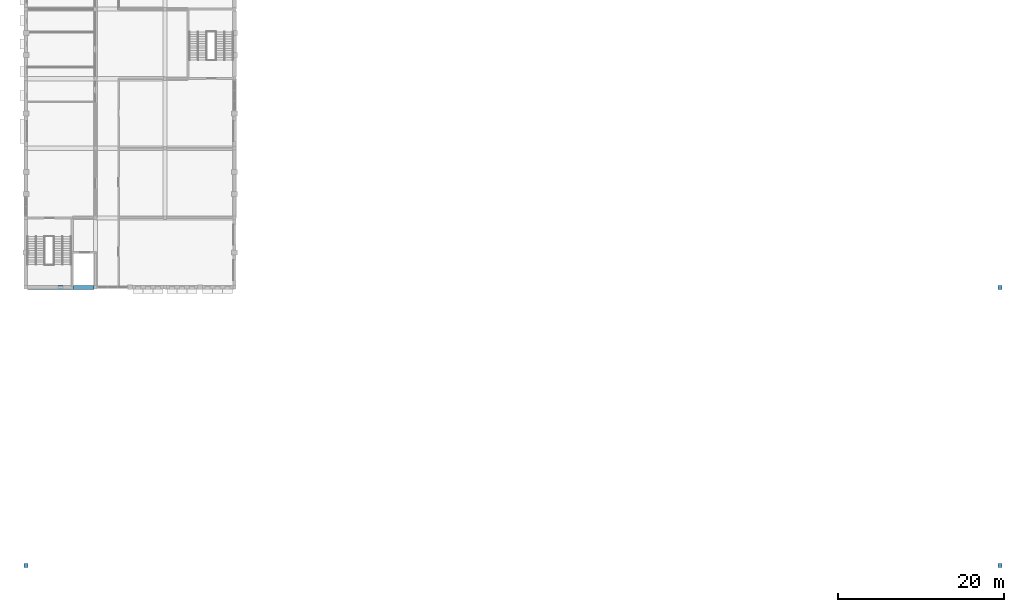
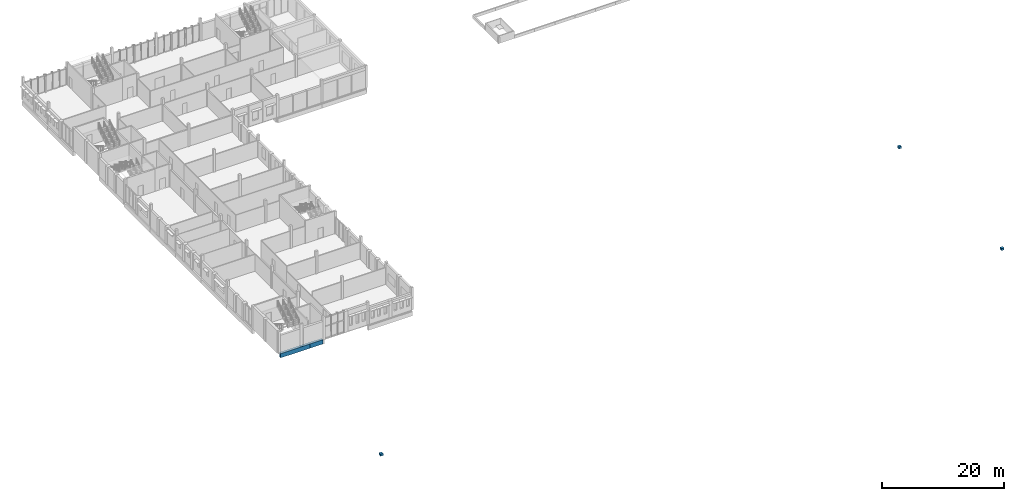
# One storey, part 3 of 22: 3 columns, 2 beams.
"""IFC4 building model written with IfcOpenShell, lengths in metres."""

from ifc_helpers import new_model, si_unit, direction, frame, origin, origin_2d, place, context, subcontext, project, spatial, rectangle, extrude, material, material_profile, profile_set, type_object, element, save


model = new_model("IFC4")

# Units and contexts
model_context = context("Model", 3, precision=1e-05, world=origin(), true_north=direction((0.0, 1.0)))
body_context = subcontext(model_context, "Body", "Model", "MODEL_VIEW")
ifc_project = project(units=[si_unit("LENGTHUNIT", "METRE"), si_unit("AREAUNIT", "SQUARE_METRE"), si_unit("VOLUMEUNIT", "CUBIC_METRE"), si_unit("PLANEANGLEUNIT", "RADIAN"), si_unit("MASSUNIT", "GRAM", prefix="KILO")], contexts=[model_context])

# Site, building, storey
site_placement = place(None, origin())
site = spatial("IfcSite", under=ifc_project, at=site_placement, CompositionType="ELEMENT")
building_placement = place(site_placement, origin())
building = spatial("IfcBuilding", under=site, at=building_placement, Name="Fescue Hill Polytechnic", CompositionType="ELEMENT")
storey_placement = place(building_placement, frame((0.0, 0.0, 27.0)))
storey = spatial("IfcBuildingStorey", under=building, at=storey_placement, Name="L06", CompositionType="ELEMENT", Elevation=27.0)

# Columns
ifc_material_1 = material(Name="Concrete 40 MPa", Category="concrete")
ifc_material_profile_1 = material_profile(ifc_material_1, rectangle(XDim=0.5, YDim=0.5, at=origin_2d()), Name="RC 500x500")
ifc_profile_set_1 = profile_set([ifc_material_profile_1], Name="Concrete 40 MPa")
column_type = type_object("IfcColumnType", Name="Column RC 500x500", PredefinedType="COLUMN", material=ifc_profile_set_1)
column_placement = place(storey_placement, frame((117.60009765625, 50.39990234375, 0.0), z_axis=(0.0, 0.0, 1.0), x_axis=(1.0, 0.0, 0.0)))
element("IfcColumn", 1, at=column_placement, inside=storey, type_object=column_type, Name="CP-CR2-L06-0504", PredefinedType="COLUMN", context=body_context, shape_type="SweptSolid", body=[
    extrude(rectangle(XDim=0.5, YDim=0.5, at=origin_2d()), origin(), (0.0, 0.0, 1.0), 0.39990234375),
])
for number, where, z_axis, x_axis, name in (
    (2, (0.0, 16.800048828125, 0.0), (0.0, 0.0, 1.0), (1.0, 0.0, 0.0), "CP-CR6-L06-0000"),
    (3, (117.60009765625, 16.800048828125, 0.0), (0.0, 0.0, 1.0), (1.0, 0.0, 0.0), "CP-CR7-L06-1176"),
):
    element("IfcColumn", number, at=place(storey_placement, frame(where, z_axis=z_axis, x_axis=x_axis)), inside=storey, type_object=column_type, Name=name, PredefinedType="COLUMN", context=body_context, shape_type="SweptSolid", body=[
        extrude(rectangle(XDim=0.5, YDim=0.5, at=origin_2d()), origin(), (0.0, 0.0, 1.0), 0.400146484375),
    ])

# Beams
ifc_material_2 = material(Name="Concrete 35 MPa", Category="concrete")
ifc_material_profile_2 = material_profile(ifc_material_2, rectangle(XDim=0.449951171875, YDim=0.85009765625, at=origin_2d()), Name="RC 450x850")
ifc_profile_set_2 = profile_set([ifc_material_profile_2], Name="Concrete 35 MPa")
beam_type = type_object("IfcBeamType", Name="Beam RC 450x850", PredefinedType="BEAM", material=ifc_profile_set_2)
beam_1_placement = place(storey_placement, frame((0.199951171875, 50.39990234375, -0.425048828125), z_axis=(1.0, 0.0, 0.0), x_axis=(0.0, 1.0, 0.0)))
element("IfcBeam", 4, at=beam_1_placement, inside=storey, type_object=beam_type, Name="BM-L06-0078", PredefinedType="BEAM", context=body_context, shape_type="SweptSolid", body=[
    extrude(rectangle(XDim=0.449951171875, YDim=0.85009765625, at=origin_2d()), origin(), (0.0, 0.0, 1.0), 5.525146484375),
])
beam_2_placement = place(storey_placement, frame((5.72509765625, 50.39990234375, -0.425048828125), z_axis=(1.0, 0.0, 0.0), x_axis=(0.0, 1.0, 0.0)))
element("IfcBeam", 5, at=beam_2_placement, inside=storey, type_object=beam_type, Name="BM-L06-0079", PredefinedType="BEAM", context=body_context, shape_type="SweptSolid", body=[
    extrude(rectangle(XDim=0.449951171875, YDim=0.85009765625, at=origin_2d()), origin(), (0.0, 0.0, 1.0), 2.474853515625),
])

save(model, "model.ifc")
